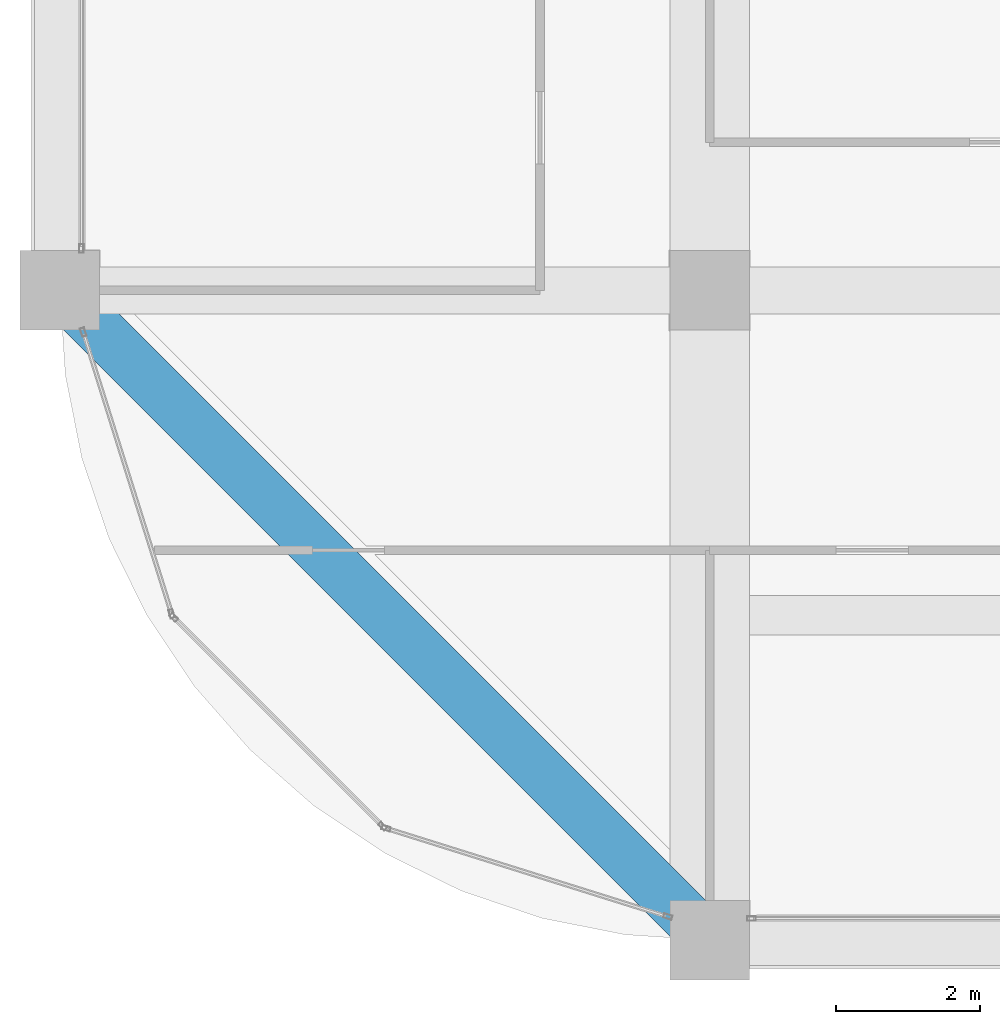
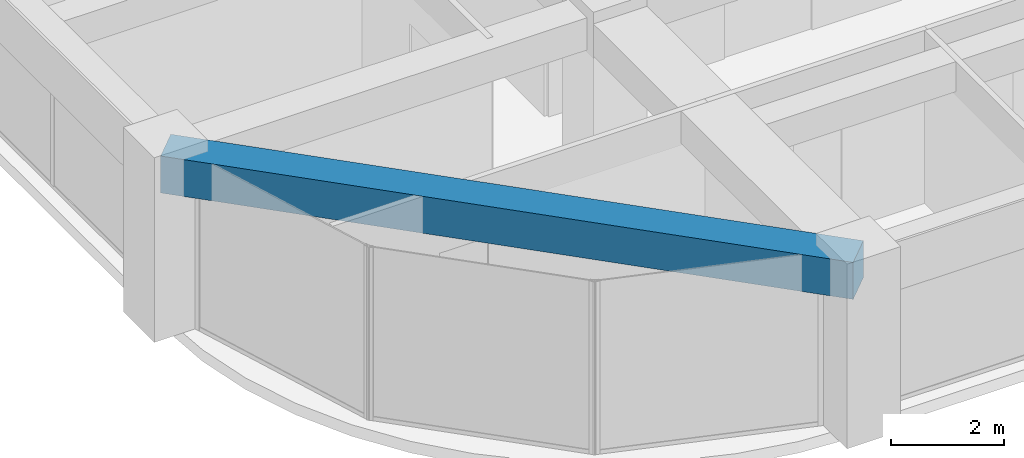
# One storey, part 3 of 44: 1 beam.
"""IFC4 building model written with IfcOpenShell, lengths in metres."""

from ifc_helpers import new_model, si_unit, direction, frame, origin, origin_2d, place, context, subcontext, project, spatial, rectangle, extrude, material, material_profile, profile_set, type_object, element, save


model = new_model("IFC4")

# Units and contexts
model_context = context("Model", 3, precision=1e-05, world=origin(), true_north=direction((0.0, 1.0)))
body_context = subcontext(model_context, "Body", "Model", "MODEL_VIEW")
ifc_project = project(units=[si_unit("LENGTHUNIT", "METRE"), si_unit("AREAUNIT", "SQUARE_METRE"), si_unit("VOLUMEUNIT", "CUBIC_METRE"), si_unit("PLANEANGLEUNIT", "RADIAN"), si_unit("MASSUNIT", "GRAM", prefix="KILO")], contexts=[model_context])

# Site, building, storey
site_placement = place(None, origin())
site = spatial("IfcSite", under=ifc_project, at=site_placement, CompositionType="ELEMENT")
building_placement = place(site_placement, origin())
building = spatial("IfcBuilding", under=site, at=building_placement, Name="Zorevar Civic Tower", CompositionType="ELEMENT")
storey_placement = place(building_placement, frame((0.0, 0.0, 259.39990234375)))
storey = spatial("IfcBuildingStorey", under=building, at=storey_placement, Name="L63", CompositionType="ELEMENT", Elevation=259.39990234375)

# Beam
ifc_material = material(Name="Concrete C50/60", Category="concrete")
ifc_material_profile = material_profile(ifc_material, rectangle(XDim=0.699951171875, YDim=0.800048828125, at=origin_2d()), Name="RC 700x800")
ifc_profile_set = profile_set([ifc_material_profile], Name="Concrete C50/60")
beam_type = type_object("IfcBeamType", Name="Edge beam RC 700x800", PredefinedType="SPANDREL", material=ifc_profile_set)
beam_placement = place(storey_placement, frame((9.0, 9.0, 3.35009765625), z_axis=(0.707106781187, -0.707106781187, 0.0), x_axis=(0.707106781187, 0.707106781187, 0.0)))
element("IfcBeam", 1, at=beam_placement, inside=storey, type_object=beam_type, Name="Corner edge beam L64", PredefinedType="SPANDREL", context=body_context, shape_type="SweptSolid", body=[
    extrude(rectangle(XDim=0.699951171875, YDim=0.800048828125, at=origin_2d()), origin(), (0.0, 0.0, 1.0), 12.72802734375),
])

save(model, "model.ifc")
